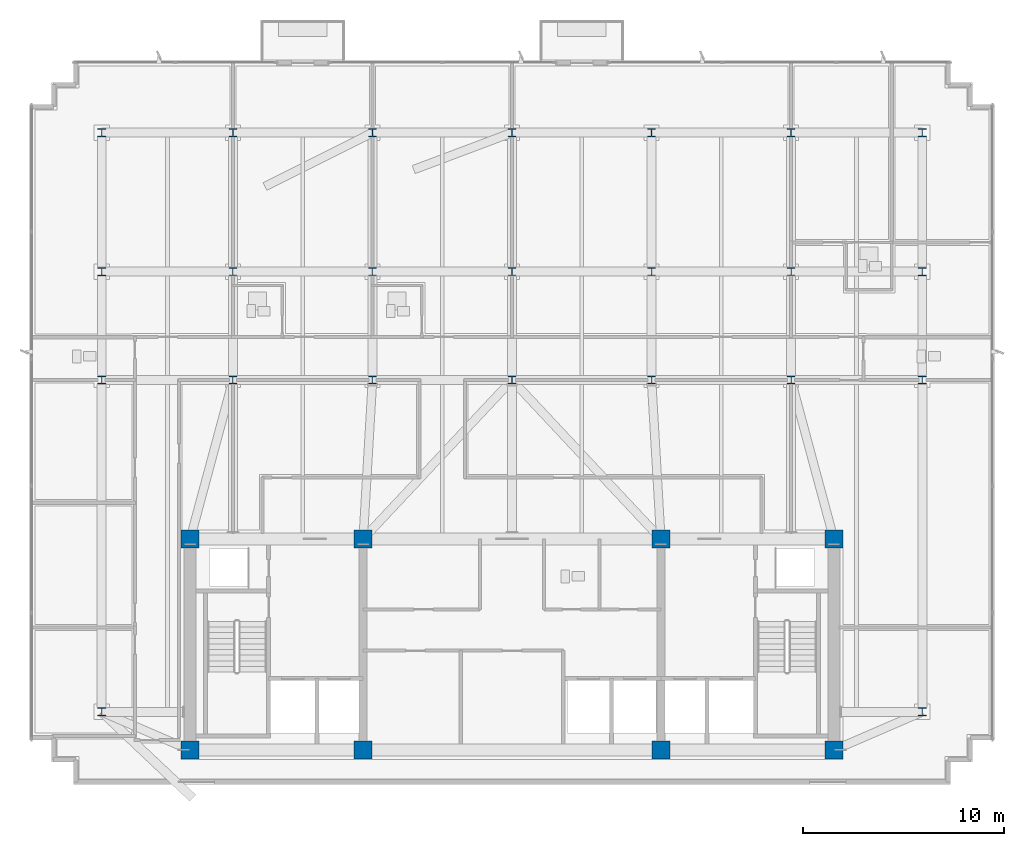
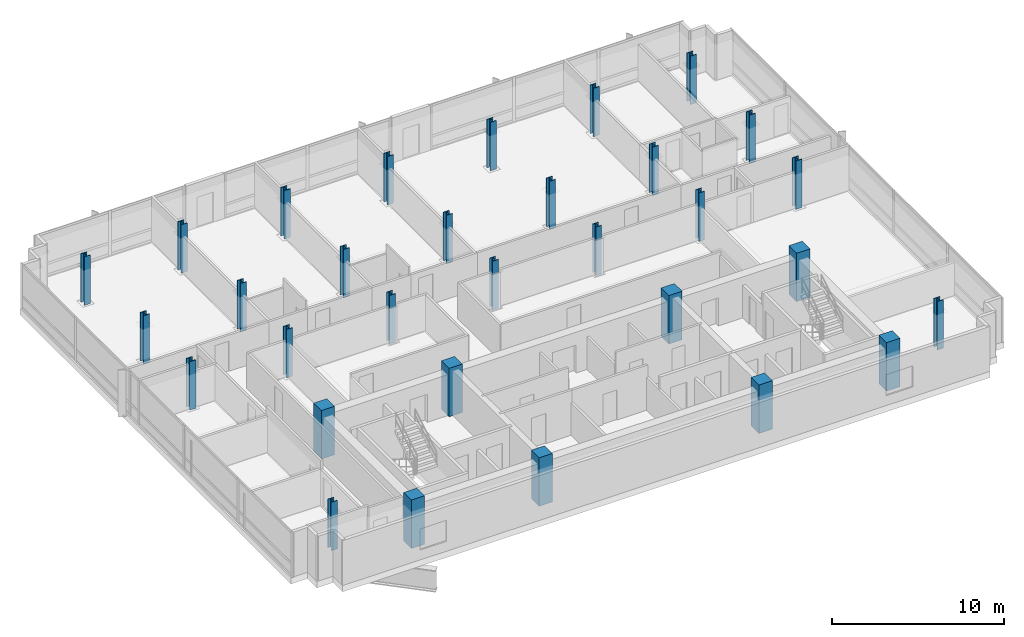
# One storey, part 1 of 16: 31 columns.
"""IFC4 building model written with IfcOpenShell, lengths in metres."""

from ifc_helpers import new_model, si_unit, direction, frame, origin, origin_2d, place, context, subcontext, project, spatial, rectangle, i_section, extrude, material, material_profile, profile_set, type_object, element, save


model = new_model("IFC4")

# Units and contexts
model_context = context("Model", 3, precision=1e-05, world=origin(), true_north=direction((0.0, 1.0)))
body_context = subcontext(model_context, "Body", "Model", "MODEL_VIEW")
ifc_project = project(units=[si_unit("LENGTHUNIT", "METRE"), si_unit("AREAUNIT", "SQUARE_METRE"), si_unit("VOLUMEUNIT", "CUBIC_METRE"), si_unit("PLANEANGLEUNIT", "RADIAN"), si_unit("MASSUNIT", "GRAM", prefix="KILO")], contexts=[model_context])

# Site, building, storey
site_placement = place(None, origin())
site = spatial("IfcSite", under=ifc_project, at=site_placement, CompositionType="ELEMENT")
building_placement = place(site_placement, origin())
building = spatial("IfcBuilding", under=site, at=building_placement, Name="Solmavex Isthmus Hotel", CompositionType="ELEMENT")
storey_placement = place(building_placement, frame((0.0, 0.0, 245.39990234375)))
storey = spatial("IfcBuildingStorey", under=building, at=storey_placement, Name="L66", CompositionType="ELEMENT", Elevation=245.39990234375)

# Columns
ifc_material_1 = material(Name="Concrete C50/60", Category="concrete")
ifc_material_profile_1 = material_profile(ifc_material_1, rectangle(XDim=0.89990234375, YDim=0.89990234375, at=origin_2d()), Name="RC900X900")
ifc_profile_set_1 = profile_set([ifc_material_profile_1], Name="Concrete C50/60")
column_type_1 = type_object("IfcColumnType", Name="COL-CC-900", PredefinedType="COLUMN", material=ifc_profile_set_1)
for number, where, z_axis, x_axis, name in (
    (1, (-16.0, -13.0, 0.0), (0.0, 0.0, 1.0), (1.0, 0.0, 0.0), "Core Pilaster CC-SW L66"),
    (2, (-7.39990234375, -13.0, 0.0), (0.0, 0.0, 1.0), (1.0, 0.0, 0.0), "Core Pilaster CC-S1 L66"),
    (3, (7.39990234375, -13.0, 0.0), (0.0, 0.0, 1.0), (1.0, 0.0, 0.0), "Core Pilaster CC-S2 L66"),
    (4, (16.0, -13.0, 0.0), (0.0, 0.0, 1.0), (1.0, 0.0, 0.0), "Core Pilaster CC-SE L66"),
    (5, (-16.0, -2.5, 0.0), (0.0, 0.0, 1.0), (1.0, 0.0, 0.0), "Core Pilaster CC-NW L66"),
    (6, (-7.39990234375, -2.5, 0.0), (0.0, 0.0, 1.0), (1.0, 0.0, 0.0), "Core Pilaster CC-N1 L66"),
    (7, (7.39990234375, -2.5, 0.0), (0.0, 0.0, 1.0), (1.0, 0.0, 0.0), "Core Pilaster CC-N2 L66"),
    (8, (16.0, -2.5, 0.0), (0.0, 0.0, 1.0), (1.0, 0.0, 0.0), "Core Pilaster CC-NE L66"),
):
    element("IfcColumn", number, at=place(storey_placement, frame(where, z_axis=z_axis, x_axis=x_axis)), inside=storey, type_object=column_type_1, Name=name, PredefinedType="COLUMN", context=body_context, shape_type="SweptSolid", body=[
        extrude(rectangle(XDim=0.89990234375, YDim=0.89990234375, at=origin_2d()), origin(), (0.0, 0.0, 1.0), 3.4501953125),
    ])
ifc_material_2 = material(Name="Steel ASTM A913 Grade 65", Category="steel")
ifc_material_profile_2 = material_profile(ifc_material_2, i_section(OverallWidth=0.4013671875, OverallDepth=0.3994140625, WebThickness=0.02490234375, FlangeThickness=0.03955078125, FilletRadius=0.030517578125, at=origin_2d()), Name="W14X211")
ifc_profile_set_2 = profile_set([ifc_material_profile_2], Name="Steel ASTM A913 Grade 65")
column_type_2 = type_object("IfcColumnType", Name="COL-SC-W14X211", PredefinedType="COLUMN", material=ifc_profile_set_2)
for number, where, z_axis, x_axis, name in (
    (9, (-13.8720703125, 5.39990234375, 0.0), (0.0, 0.0, 1.0), (1.0, 0.0, 0.0), "Tower Column B5-U2V2 L66"),
    (10, (-13.8720703125, 10.7880859375, 0.0), (0.0, 0.0, 1.0), (1.0, 0.0, 0.0), "Tower Column B5-U2V3 L66"),
    (11, (-6.93603515625, 5.39990234375, 0.0), (0.0, 0.0, 1.0), (1.0, 0.0, 0.0), "Tower Column B5-U3V2 L66"),
    (12, (-6.93603515625, 10.7880859375, 0.0), (0.0, 0.0, 1.0), (1.0, 0.0, 0.0), "Tower Column B5-U3V3 L66"),
    (13, (0.0, 5.39990234375, 0.0), (0.0, 0.0, 1.0), (1.0, 0.0, 0.0), "Tower Column B5-U4V2 L66"),
    (14, (0.0, 10.7880859375, 0.0), (0.0, 0.0, 1.0), (1.0, 0.0, 0.0), "Tower Column B5-U4V3 L66"),
    (15, (6.93603515625, 5.39990234375, 0.0), (0.0, 0.0, 1.0), (1.0, 0.0, 0.0), "Tower Column B5-U5V2 L66"),
    (16, (6.93603515625, 10.7880859375, 0.0), (0.0, 0.0, 1.0), (1.0, 0.0, 0.0), "Tower Column B5-U5V3 L66"),
    (17, (13.8720703125, 5.39990234375, 0.0), (0.0, 0.0, 1.0), (1.0, 0.0, 0.0), "Tower Column B5-U6V2 L66"),
    (18, (13.8720703125, 10.7880859375, 0.0), (0.0, 0.0, 1.0), (1.0, 0.0, 0.0), "Tower Column B5-U6V3 L66"),
):
    element("IfcColumn", number, at=place(storey_placement, frame(where, z_axis=z_axis, x_axis=x_axis)), inside=storey, type_object=column_type_2, Name=name, PredefinedType="COLUMN", context=body_context, shape_type="SweptSolid", body=[
        extrude(i_section(OverallWidth=0.4013671875, OverallDepth=0.3994140625, WebThickness=0.02490234375, FlangeThickness=0.03955078125, FilletRadius=0.030517578125, at=origin_2d()), origin(), (0.0, 0.0, 1.0), 3.4501953125),
    ])
ifc_material_profile_3 = material_profile(ifc_material_2, i_section(OverallWidth=0.40625, OverallDepth=0.416015625, WebThickness=0.02978515625, FlangeThickness=0.048095703125, FilletRadius=0.030517578125, at=origin_2d()), Name="W14X257")
ifc_profile_set_3 = profile_set([ifc_material_profile_3], Name="Steel ASTM A913 Grade 65")
column_type_3 = type_object("IfcColumnType", Name="COL-SC-W14X257", PredefinedType="COLUMN", material=ifc_profile_set_3)
for number, where, z_axis, x_axis, name in (
    (19, (-20.39990234375, -11.10009765625, 0.0), (0.0, 0.0, 1.0), (1.0, 0.0, 0.0), "Tower Column B5-U1V1 L66"),
    (20, (-20.39990234375, 5.39990234375, 0.0), (0.0, 0.0, 1.0), (1.0, 0.0, 0.0), "Tower Column B5-U1V2 L66"),
    (21, (-20.39990234375, 10.7880859375, 0.0), (0.0, 0.0, 1.0), (1.0, 0.0, 0.0), "Tower Column B5-U1V3 L66"),
    (22, (-20.39990234375, 17.699951171875, 0.0), (0.0, 0.0, 1.0), (1.0, 0.0, 0.0), "Tower Column B5-U1V4 L66"),
    (23, (-13.8720703125, 17.699951171875, 0.0), (0.0, 0.0, 1.0), (1.0, 0.0, 0.0), "Tower Column B5-U2V4 L66"),
    (24, (-6.93603515625, 17.699951171875, 0.0), (0.0, 0.0, 1.0), (1.0, 0.0, 0.0), "Tower Column B5-U3V4 L66"),
    (25, (0.0, 17.699951171875, 0.0), (0.0, 0.0, 1.0), (1.0, 0.0, 0.0), "Tower Column B5-U4V4 L66"),
    (26, (6.93603515625, 17.699951171875, 0.0), (0.0, 0.0, 1.0), (1.0, 0.0, 0.0), "Tower Column B5-U5V4 L66"),
    (27, (13.8720703125, 17.699951171875, 0.0), (0.0, 0.0, 1.0), (1.0, 0.0, 0.0), "Tower Column B5-U6V4 L66"),
    (28, (20.39990234375, -11.10009765625, 0.0), (0.0, 0.0, 1.0), (1.0, 0.0, 0.0), "Tower Column B5-U7V1 L66"),
    (29, (20.39990234375, 5.39990234375, 0.0), (0.0, 0.0, 1.0), (1.0, 0.0, 0.0), "Tower Column B5-U7V2 L66"),
    (30, (20.39990234375, 10.7880859375, 0.0), (0.0, 0.0, 1.0), (1.0, 0.0, 0.0), "Tower Column B5-U7V3 L66"),
    (31, (20.39990234375, 17.699951171875, 0.0), (0.0, 0.0, 1.0), (1.0, 0.0, 0.0), "Tower Column B5-U7V4 L66"),
):
    element("IfcColumn", number, at=place(storey_placement, frame(where, z_axis=z_axis, x_axis=x_axis)), inside=storey, type_object=column_type_3, Name=name, PredefinedType="COLUMN", context=body_context, shape_type="SweptSolid", body=[
        extrude(i_section(OverallWidth=0.40625, OverallDepth=0.416015625, WebThickness=0.02978515625, FlangeThickness=0.048095703125, FilletRadius=0.030517578125, at=origin_2d()), origin(), (0.0, 0.0, 1.0), 3.4501953125),
    ])

save(model, "model.ifc")
